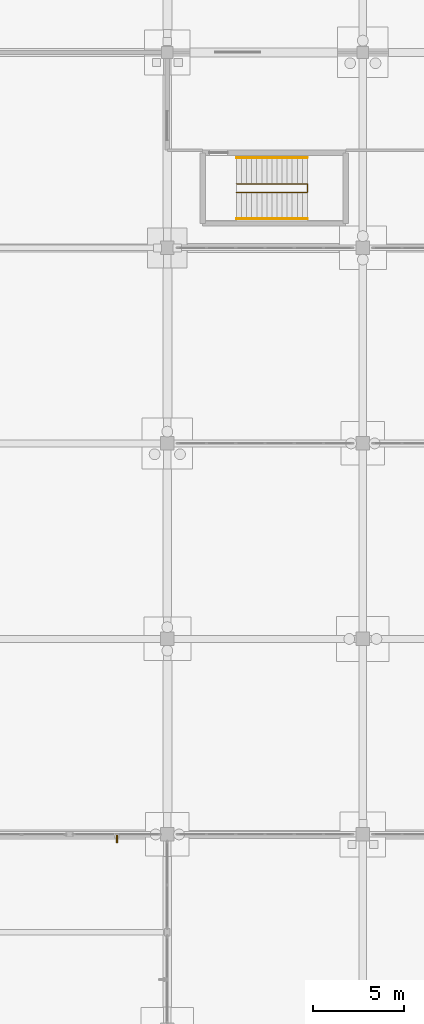
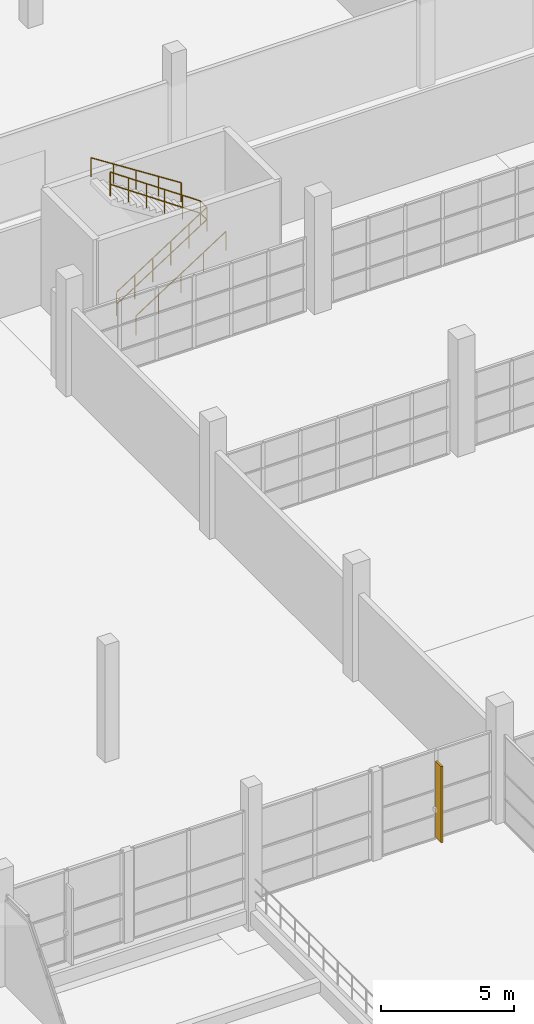
# One storey, part 132 of 138: 3 railings, 1 shading device.
"""IFC4 building model written with IfcOpenShell, lengths in metres."""

from ifc_helpers import new_model, si_unit, direction, frame, origin, origin_2d, place, context, subcontext, project, spatial, rectangle, circle, extrude, material, type_object, element, save


model = new_model("IFC4")

# Units and contexts
model_context = context("Model", 3, precision=1e-05, world=origin(), true_north=direction((0.0, 1.0)))
body_context = subcontext(model_context, "Body", "Model", "MODEL_VIEW")
ifc_project = project(units=[si_unit("LENGTHUNIT", "METRE"), si_unit("AREAUNIT", "SQUARE_METRE"), si_unit("VOLUMEUNIT", "CUBIC_METRE"), si_unit("PLANEANGLEUNIT", "RADIAN"), si_unit("MASSUNIT", "GRAM", prefix="KILO")], contexts=[model_context])

# Site, building, storey
site_placement = place(None, origin())
site = spatial("IfcSite", under=ifc_project, at=site_placement, CompositionType="ELEMENT")
building_placement = place(site_placement, origin())
building = spatial("IfcBuilding", under=site, at=building_placement, Name="Zwinboog Wholesale Market", CompositionType="ELEMENT")
storey_placement = place(building_placement, origin())
storey = spatial("IfcBuildingStorey", under=building, at=storey_placement, Name="L00", CompositionType="ELEMENT", Elevation=0.0)

# Shading device
ifc_material_1 = material(Name="Western red cedar timber", Category="wood")
shading_device_type = type_object("IfcShadingDeviceType", Name="SHD-FIN-CEDAR", PredefinedType="USERDEFINED", material=ifc_material_1)
shading_device_placement = place(storey_placement, frame((62.014892578125, 64.544921875, 0.080078125), z_axis=(0.0, 0.0, 1.0), x_axis=(0.0, 1.0, 0.0)))
element("IfcShadingDevice", 1, at=shading_device_placement, inside=storey, type_object=shading_device_type, Name="FN-01 (SHD-FIN-010)", ObjectType="FIN", PredefinedType="USERDEFINED", context=body_context, shape_type="SweptSolid", body=[
    extrude(rectangle(XDim=0.419921875, YDim=0.0849609375, at=origin_2d()), origin(), (0.0, 0.0, 1.0), 3.5),
])

# Railings
ifc_material_2 = material(Name="Steel S355", Category="steel")
railing_type_1 = type_object("IfcRailingType", Name="RLT-INT-GUARD", PredefinedType="BALUSTRADE", material=ifc_material_2)
railing_1_placement = place(storey_placement, frame((68.6201171875, 100.260009765625, 0.179931640625)))
element("IfcRailing", 2, at=railing_1_placement, inside=storey, type_object=railing_type_1, Name="GR-02 (RLG-ST-14-G1)", PredefinedType="BALUSTRADE", context=body_context, shape_type="SweptSolid", body=[
    extrude(circle(Radius=0.02392578125, at=origin_2d()), frame((0.0, 0.0, 1.09619140625), z_axis=(0.841171666519, 0.0, 0.540768182723), x_axis=(0.0, 1.0, 0.0)), (0.0, 0.0, 1.0), 4.66015625),
    extrude(circle(Radius=0.02392578125, at=origin_2d()), frame((0.0, 0.0, 0.5361328125), z_axis=(0.841171666519, 0.0, 0.540768182723), x_axis=(0.0, 1.0, 0.0)), (0.0, 0.0, 1.0), 4.66015625),
    extrude(circle(Radius=0.02392578125, at=origin_2d()), frame((3.919921875, 0.0, 3.6162109375), z_axis=(0.0, 1.0, 0.0), x_axis=(-1.0, 0.0, 0.0)), (0.0, 0.0, 1.0), 0.47998046875),
    extrude(circle(Radius=0.02392578125, at=origin_2d()), frame((3.919921875, 0.0, 3.05615234375), z_axis=(0.0, 1.0, 0.0), x_axis=(-1.0, 0.0, 0.0)), (0.0, 0.0, 1.0), 0.47998046875),
    extrude(circle(Radius=0.02392578125, at=origin_2d()), frame((3.919921875, 0.47998046875, 3.6162109375), z_axis=(-0.823550731654, 0.0, 0.567242622158), x_axis=(0.0, -1.0, 0.0)), (0.0, 0.0, 1.0), 4.759765625),
    extrude(circle(Radius=0.02392578125, at=origin_2d()), frame((3.919921875, 0.47998046875, 3.05615234375), z_axis=(-0.823550731654, 0.0, 0.567242622158), x_axis=(0.0, -1.0, 0.0)), (0.0, 0.0, 1.0), 4.759765625),
    extrude(circle(Radius=0.02099609375, at=origin_2d()), origin(), (0.0, 0.0, 1.0), 1.072021484375),
    extrude(circle(Radius=0.02099609375, at=origin_2d()), frame((0.783935546875, 0.0, 0.50390625)), (0.0, 0.0, 1.0), 1.072021484375),
    extrude(circle(Radius=0.02099609375, at=origin_2d()), frame((1.56787109375, 0.0, 1.008056640625)), (0.0, 0.0, 1.0), 1.072021484375),
    extrude(circle(Radius=0.02099609375, at=origin_2d()), frame((2.35205078125, 0.0, 1.511962890625)), (0.0, 0.0, 1.0), 1.072021484375),
    extrude(circle(Radius=0.02099609375, at=origin_2d()), frame((3.135986328125, 0.0, 2.01611328125)), (0.0, 0.0, 1.0), 1.072021484375),
    extrude(circle(Radius=0.02099609375, at=origin_2d()), frame((3.919921875, 0.0, 2.52001953125)), (0.0, 0.0, 1.0), 1.072021484375),
    extrude(circle(Radius=0.02099609375, at=origin_2d()), frame((3.919921875, 0.47998046875, 2.52001953125)), (0.0, 0.0, 1.0), 1.072021484375),
    extrude(circle(Radius=0.02099609375, at=origin_2d()), frame((3.135986328125, 0.47998046875, 3.06005859375)), (0.0, 0.0, 1.0), 1.072021484375),
    extrude(circle(Radius=0.02099609375, at=origin_2d()), frame((2.35205078125, 0.47998046875, 3.60009765625)), (0.0, 0.0, 1.0), 1.072021484375),
    extrude(circle(Radius=0.02099609375, at=origin_2d()), frame((1.56787109375, 0.47998046875, 4.139892578125)), (0.0, 0.0, 1.0), 1.072021484375),
    extrude(circle(Radius=0.02099609375, at=origin_2d()), frame((0.783935546875, 0.47998046875, 4.679931640625)), (0.0, 0.0, 1.0), 1.072021484375),
    extrude(circle(Radius=0.02099609375, at=origin_2d()), frame((0.0, 0.47998046875, 5.219970703125)), (0.0, 0.0, 1.0), 1.072021484375),
])
railing_type_2 = type_object("IfcRailingType", Name="RLT-HANDRAIL", PredefinedType="HANDRAIL", material=ifc_material_2)
railing_2_placement = place(storey_placement, frame((68.6201171875, 98.81005859375, 0.179931640625)))
element("IfcRailing", 3, at=railing_2_placement, inside=storey, type_object=railing_type_2, Name="HR-01 (RLG-ST-14-HR1)", PredefinedType="HANDRAIL", context=body_context, shape_type="SweptSolid", body=[
    extrude(circle(Radius=0.02392578125, at=origin_2d()), frame((0.0, 0.0, 0.8759765625), z_axis=(0.841171666519, 0.0, 0.540768182723), x_axis=(0.0, 1.0, 0.0)), (0.0, 0.0, 1.0), 4.66015625),
    extrude(circle(Radius=0.02099609375, at=origin_2d()), origin(), (0.0, 0.0, 1.0), 0.851806640625),
    extrude(circle(Radius=0.02099609375, at=origin_2d()), frame((0.97998046875, 0.0, 0.6298828125)), (0.0, 0.0, 1.0), 0.851806640625),
    extrude(circle(Radius=0.02099609375, at=origin_2d()), frame((1.9599609375, 0.0, 1.260009765625)), (0.0, 0.0, 1.0), 0.851806640625),
    extrude(circle(Radius=0.02099609375, at=origin_2d()), frame((2.93994140625, 0.0, 1.89013671875)), (0.0, 0.0, 1.0), 0.851806640625),
    extrude(circle(Radius=0.02099609375, at=origin_2d()), frame((3.919921875, 0.0, 2.52001953125)), (0.0, 0.0, 1.0), 0.851806640625),
])
railing_3_placement = place(storey_placement, frame((72.5400390625, 102.18994140625, 2.8798828125)))
element("IfcRailing", 4, at=railing_3_placement, inside=storey, type_object=railing_type_2, Name="HR-01 (RLG-ST-14-HR2)", PredefinedType="HANDRAIL", context=body_context, shape_type="SweptSolid", body=[
    extrude(circle(Radius=0.02392578125, at=origin_2d()), frame((0.0, 0.0, 0.8759765625), z_axis=(-0.841171666519, 0.0, 0.540768182723), x_axis=(0.0, -1.0, 0.0)), (0.0, 0.0, 1.0), 4.66015625),
    extrude(circle(Radius=0.02099609375, at=origin_2d()), origin(), (0.0, 0.0, 1.0), 0.851806640625),
    extrude(circle(Radius=0.02099609375, at=origin_2d()), frame((-0.97998046875, 0.0, 0.6298828125)), (0.0, 0.0, 1.0), 0.851806640625),
    extrude(circle(Radius=0.02099609375, at=origin_2d()), frame((-1.9599609375, 0.0, 1.260009765625)), (0.0, 0.0, 1.0), 0.851806640625),
    extrude(circle(Radius=0.02099609375, at=origin_2d()), frame((-2.93994140625, 0.0, 1.89013671875)), (0.0, 0.0, 1.0), 0.851806640625),
    extrude(circle(Radius=0.02099609375, at=origin_2d()), frame((-3.919921875, 0.0, 2.52001953125)), (0.0, 0.0, 1.0), 0.851806640625),
])

save(model, "model.ifc")
